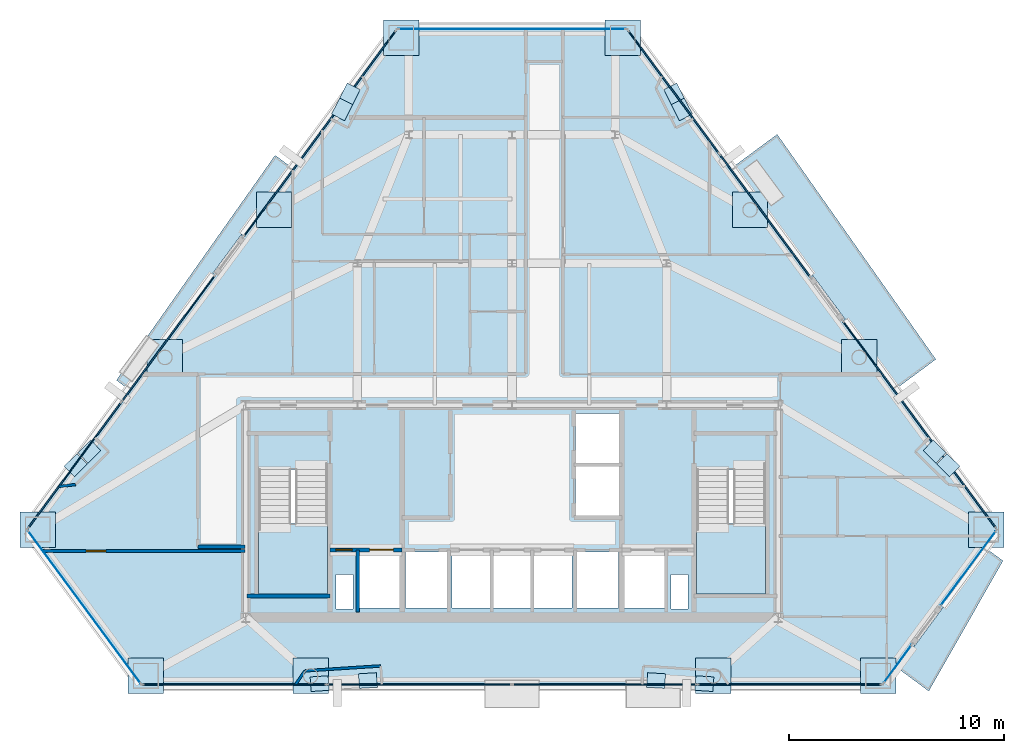
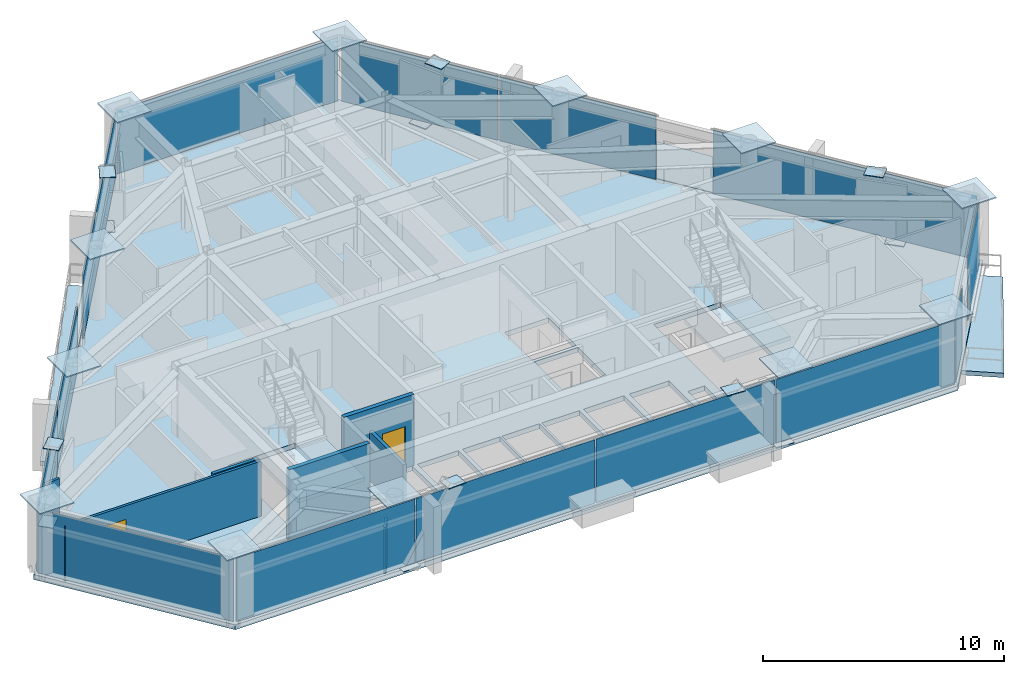
# One storey, part 6 of 11: 38 plates, 8 walls, 6 slabs, 3 doors, 3 openings, 11 elements without a shape of their own.
"""IFC4 building model written with IfcOpenShell, lengths in metres."""

from ifc_helpers import new_model, si_unit, direction, frame, frame_2d, origin, origin_2d, place, context, subcontext, project, spatial, polyline, rectangle, outline, extrude, source, transform, mapped, material, layer, layer_set, type_object, type_shapes, element, fill, aggregate, save


model = new_model("IFC4")

# Units and contexts
model_context = context("Model", 3, precision=1e-05, world=origin(), true_north=direction((0.0, 1.0)))
body_context = subcontext(model_context, "Body", "Model", "MODEL_VIEW")
ifc_project = project(units=[si_unit("LENGTHUNIT", "METRE"), si_unit("AREAUNIT", "SQUARE_METRE"), si_unit("VOLUMEUNIT", "CUBIC_METRE"), si_unit("PLANEANGLEUNIT", "RADIAN"), si_unit("MASSUNIT", "GRAM", prefix="KILO")], contexts=[model_context])

# Site, building, storey
site_placement = place(None, origin())
site = spatial("IfcSite", under=ifc_project, at=site_placement, CompositionType="ELEMENT")
building_placement = place(site_placement, origin())
building = spatial("IfcBuilding", under=site, at=building_placement, Name="Talgorran Terracotta Tower", CompositionType="ELEMENT")
storey_placement = place(building_placement, frame((0.0, 0.0, 140.10009765625)))
storey = spatial("IfcBuildingStorey", under=building, at=storey_placement, Name="L36", CompositionType="ELEMENT", Elevation=140.10009765625)

# Plates
ifc_material_1 = material(Name="Steel Grade 350 (350L0)", Category="steel")
ifc_layer_1 = layer(ifc_material_1, 0.035888671875, Name="PL_CAP_MN06")
ifc_layer_set_1 = layer_set([ifc_layer_1], Name="Steel Grade 350 (350L0)")
plate_type_1 = type_object("IfcPlateType", Name="PL_CAP_MN06", PredefinedType="USERDEFINED", material=ifc_layer_set_1)
for number, where, z_axis, x_axis, name in (
    (1, (-8.964111328125, -17.178955078125, -0.0078125), (0.0, 0.0, 1.0), (0.997949270516, 0.064009792035, 0.0), "L36 Diagonal Frame End Cap SWF Bot"),
    (2, (-6.712890625, -17.034423828125, 3.32177734375), (0.0, 0.0, 1.0), (0.997949270516, 0.064009792035, 0.0), "L36 Diagonal Frame End Cap SWF Top"),
    (3, (8.964111328125, -17.178955078125, -0.0078125), (0.0, 0.0, 1.0), (-0.997949270516, 0.064009792035, 0.0), "L36 Diagonal Frame End Cap SEF Bot"),
    (4, (6.712890625, -17.034423828125, 3.32177734375), (0.0, 0.0, 1.0), (-0.997949270516, 0.064009792035, 0.0), "L36 Diagonal Frame End Cap SEF Top"),
    (5, (20.324951171875, -6.997802734375, -0.0078125), (0.0, 0.0, 1.0), (-0.710676697512, 0.703518750008, 0.0), "L36 Diagonal Frame End Cap NEL Bot"),
    (6, (19.689697265625, -6.368896484375, 3.32177734375), (0.0, 0.0, 1.0), (-0.710676697512, 0.703518750008, 0.0), "L36 Diagonal Frame End Cap NEL Top"),
    (7, (7.56201171875, 10.271240234375, -0.0078125), (0.0, 0.0, 1.0), (0.451656296979, -0.89219201375, 0.0), "L36 Diagonal Frame End Cap NEU Bot"),
    (8, (7.9140625, 9.57568359375, 3.32177734375), (0.0, 0.0, 1.0), (0.451656296979, -0.89219201375, 0.0), "L36 Diagonal Frame End Cap NEU Top"),
    (9, (-7.56201171875, 10.271240234375, -0.0078125), (0.0, 0.0, 1.0), (-0.451656296979, -0.89219201375, 0.0), "L36 Diagonal Frame End Cap NWU Bot"),
    (10, (-7.9140625, 9.57568359375, 3.32177734375), (0.0, 0.0, 1.0), (-0.451656296979, -0.89219201375, 0.0), "L36 Diagonal Frame End Cap NWU Top"),
    (11, (-20.324951171875, -6.997802734375, -0.0078125), (0.0, 0.0, 1.0), (0.710676697512, 0.703518750008, 0.0), "L36 Diagonal Frame End Cap NWL Bot"),
    (12, (-19.689697265625, -6.368896484375, 3.32177734375), (0.0, 0.0, 1.0), (0.710676697512, 0.703518750008, 0.0), "L36 Diagonal Frame End Cap NWL Top"),
):
    element("IfcPlate", number, at=place(storey_placement, frame(where, z_axis=z_axis, x_axis=x_axis)), inside=storey, type_object=plate_type_1, Name=name, ObjectType="CAP PLATE", PredefinedType="USERDEFINED", context=body_context, shape_type="SweptSolid", body=[
        extrude(rectangle(XDim=0.840087890625, YDim=0.679931640625, at=origin_2d()), origin(), (0.0, 0.0, 1.0), 0.035888671875),
    ])
ifc_layer_2 = layer(ifc_material_1, 0.06005859375, Name="PL_NODE_MN01")
ifc_layer_set_2 = layer_set([ifc_layer_2], Name="Steel Grade 350 (350L0)")
plate_type_2 = type_object("IfcPlateType", Name="PL_NODE_MN01", PredefinedType="USERDEFINED", material=ifc_layer_set_2)
for number, where, z_axis, x_axis, name in (
    (13, (-22.09619140625, -10.000244140625, 3.5849609375), (0.0, 0.0, 1.0), (1.0, 0.0, 0.0), "L36 Mega-Column Cap Plate MC1"),
    (14, (-17.056884765625, -16.81884765625, 3.5849609375), (0.0, 0.0, 1.0), (1.0, 0.0, 0.0), "L36 Mega-Column Cap Plate MC2"),
    (15, (17.056884765625, -16.81884765625, 3.5849609375), (0.0, 0.0, 1.0), (1.0, 0.0, 0.0), "L36 Mega-Column Cap Plate MC3"),
    (16, (22.09619140625, -10.000244140625, 3.5849609375), (0.0, 0.0, 1.0), (1.0, 0.0, 0.0), "L36 Mega-Column Cap Plate MC4"),
    (17, (5.16162109375, 12.91357421875, 3.5849609375), (0.0, 0.0, 1.0), (1.0, 0.0, 0.0), "L36 Mega-Column Cap Plate MC5"),
    (18, (-5.16162109375, 12.91357421875, 3.5849609375), (0.0, 0.0, 1.0), (1.0, 0.0, 0.0), "L36 Mega-Column Cap Plate MC6"),
    (19, (-9.381103515625, -16.81884765625, 3.5849609375), (0.0, 0.0, 1.0), (1.0, 0.0, 0.0), "L36 Facet Column Cap Plate FC1"),
    (20, (9.381103515625, -16.81884765625, 3.5849609375), (0.0, 0.0, 1.0), (1.0, 0.0, 0.0), "L36 Facet Column Cap Plate FC2"),
    (21, (16.169189453125, -1.98046875, 3.5849609375), (0.0, 0.0, 1.0), (1.0, 0.0, 0.0), "L36 Facet Column Cap Plate FC3"),
    (22, (11.088623046875, 4.893798828125, 3.5849609375), (0.0, 0.0, 1.0), (1.0, 0.0, 0.0), "L36 Facet Column Cap Plate FC4"),
    (23, (-11.088623046875, 4.893798828125, 3.5849609375), (0.0, 0.0, 1.0), (1.0, 0.0, 0.0), "L36 Facet Column Cap Plate FC5"),
    (24, (-16.169189453125, -1.98046875, 3.5849609375), (0.0, 0.0, 1.0), (1.0, 0.0, 0.0), "L36 Facet Column Cap Plate FC6"),
):
    element("IfcPlate", number, at=place(storey_placement, frame(where, z_axis=z_axis, x_axis=x_axis)), inside=storey, type_object=plate_type_2, Name=name, ObjectType="NODE PLATE", PredefinedType="USERDEFINED", context=body_context, shape_type="SweptSolid", body=[
        extrude(rectangle(XDim=1.64990234375, YDim=1.64990234375, at=origin_2d()), origin(), (0.0, 0.0, 1.0), 0.06005859375),
    ])

# Slabs
ifc_material_2 = material(Name="Concrete C40/50", Category="concrete")
ifc_layer_3 = layer(ifc_material_2, 0.219970703125, Name="SL_BALCONY_220")
ifc_layer_set_3 = layer_set([ifc_layer_3], Name="Concrete C40/50")
slab_type_1 = type_object("IfcSlabType", Name="SL_BALCONY_220", PredefinedType="FLOOR", material=ifc_layer_set_3)
slab_1_placement = place(storey_placement, frame((0.0, 0.0, -0.22021484375)))
element("IfcSlab", 25, at=slab_1_placement, inside=storey, type_object=slab_type_1, Name="L36 Outdoor Wave Balcony BAL-NE", PredefinedType="FLOOR", context=body_context, shape_type="SweptSolid", body=[
    extrude(outline(polyline([(10.28515625, 6.881103515625), (17.905517578125, -3.4296875), (19.7451171875, -2.0703125), (12.352294921875, 8.40869140625), (10.28515625, 6.881103515625)])), origin(), (0.0, 0.0, 1.0), 0.22021484375),
])
slab_2_placement = place(storey_placement, frame((0.0, 0.0, -0.22021484375)))
element("IfcSlab", 26, at=slab_2_placement, inside=storey, type_object=slab_type_1, Name="L36 Outdoor Wave Balcony BAL-NW", PredefinedType="FLOOR", context=body_context, shape_type="SweptSolid", body=[
    extrude(outline(polyline([(-17.905517578125, -3.4296875), (-10.28515625, 6.881103515625), (-11.035400390625, 7.435302734375), (-18.42822265625, -3.043701171875), (-17.905517578125, -3.4296875)])), origin(), (0.0, 0.0, 1.0), 0.22021484375),
])
slab_3_placement = place(storey_placement, frame((0.0, 0.0, -0.22021484375)))
element("IfcSlab", 27, at=slab_3_placement, inside=storey, type_object=slab_type_1, Name="L36 Outdoor Wave Balcony BAL-SE", PredefinedType="FLOOR", context=body_context, shape_type="SweptSolid", body=[
    extrude(outline(polyline([(22.10400390625, -10.889892578125), (17.98193359375, -16.46728515625), (19.416015625, -17.527099609375), (22.873291015625, -11.458251953125), (22.10400390625, -10.889892578125)])), origin(), (0.0, 0.0, 1.0), 0.22021484375),
])

# Stair, slab
stair_type = type_object("IfcStairType", Name="ST_FIRE_SCISSOR", PredefinedType="HALF_TURN_STAIR", material=ifc_material_2)
stair_1_placement = place(storey_placement, origin())
stair_1 = element("IfcStair", 28, at=stair_1_placement, inside=storey, type_object=stair_type, Name="L36 West Protected Fire Stair ST-01", PredefinedType="HALF_TURN_STAIR")
ifc_layer_4 = layer(ifc_material_2, 0.199951171875, Name="SL_LANDING_200")
ifc_layer_set_4 = layer_set([ifc_layer_4], Name="Concrete C40/50")
slab_type_2 = type_object("IfcSlabType", Name="SL_LANDING_200", PredefinedType="LANDING", material=ifc_layer_set_4)
slab_4_placement = place(storey_placement, frame((0.0, 0.0, 1.599853515625)))
slab_4 = element("IfcSlab", 29, at=slab_4_placement, type_object=slab_type_2, Name="ST-01 landing 1", PredefinedType="LANDING", context=body_context, shape_type="SweptSolid", body=[
    extrude(outline(polyline([(-11.800048828125, -9.719970703125), (-11.800048828125, -13.0), (-8.60009765625, -13.0), (-8.60009765625, -9.719970703125), (-11.800048828125, -9.719970703125)])), origin(), (0.0, 0.0, 1.0), 0.199951171875),
])
aggregate(stair_1, [slab_4])

stair_2_placement = place(storey_placement, origin())
stair_2 = element("IfcStair", 30, at=stair_2_placement, inside=storey, type_object=stair_type, Name="L36 East Protected Fire Stair ST-02", PredefinedType="HALF_TURN_STAIR")
slab_5_placement = place(storey_placement, frame((0.0, 0.0, 1.599853515625)))
slab_5 = element("IfcSlab", 31, at=slab_5_placement, type_object=slab_type_2, Name="ST-02 landing 1", PredefinedType="LANDING", context=body_context, shape_type="SweptSolid", body=[
    extrude(outline(polyline([(8.60009765625, -9.719970703125), (8.60009765625, -13.0), (11.800048828125, -13.0), (11.800048828125, -9.719970703125), (8.60009765625, -9.719970703125)])), origin(), (0.0, 0.0, 1.0), 0.199951171875),
])
aggregate(stair_2, [slab_5])

# Slab
ifc_layer_5 = layer(ifc_material_2, 0.25, Name="SL_TOWER_250")
ifc_layer_set_5 = layer_set([ifc_layer_5], Name="Concrete C40/50")
slab_type_3 = type_object("IfcSlabType", Name="SL_TOWER_250", PredefinedType="FLOOR", material=ifc_layer_set_5)
slab_6_placement = place(storey_placement, frame((0.0, 0.0, -0.25)))
element("IfcSlab", 32, at=slab_6_placement, inside=storey, type_object=slab_type_3, Name="Storey L36 Structural Floor Slab", PredefinedType="FLOOR", context=body_context, shape_type="SweptSolid", body=[
    extrude(outline(polyline([(-22.742919921875, -10.000244140625), (-17.319091796875, -17.3388671875), (17.319091796875, -17.3388671875), (22.742919921875, -10.000244140625), (5.423828125, 13.43359375), (-5.423828125, 13.43359375), (-22.742919921875, -10.000244140625)]), holes=[polyline([(-11.800048828125, -7.199951171875), (-11.800048828125, -13.0), (-8.60009765625, -13.0), (-8.60009765625, -7.199951171875), (-11.800048828125, -7.199951171875)]), polyline([(8.60009765625, -7.199951171875), (8.60009765625, -13.0), (11.800048828125, -13.0), (11.800048828125, -7.199951171875), (8.60009765625, -7.199951171875)]), polyline([(-7.10009765625, -13.64990234375), (-5.199951171875, -13.64990234375), (-5.199951171875, -11.050048828125), (-7.10009765625, -11.050048828125), (-7.10009765625, -13.64990234375)]), polyline([(5.199951171875, -13.64990234375), (7.10009765625, -13.64990234375), (7.10009765625, -11.050048828125), (5.199951171875, -11.050048828125), (5.199951171875, -13.64990234375)]), polyline([(3.0, -13.64990234375), (4.949951171875, -13.64990234375), (4.949951171875, -11.050048828125), (3.0, -11.050048828125), (3.0, -13.64990234375)]), polyline([(-4.949951171875, -13.64990234375), (-3.0, -13.64990234375), (-3.0, -11.050048828125), (-4.949951171875, -11.050048828125), (-4.949951171875, -13.64990234375)]), polyline([(2.949951171875, -9.35009765625), (5.050048828125, -9.35009765625), (5.050048828125, -7.050048828125), (2.949951171875, -7.050048828125), (2.949951171875, -9.35009765625)]), polyline([(2.949951171875, -6.89990234375), (5.050048828125, -6.89990234375), (5.050048828125, -4.60009765625), (2.949951171875, -4.60009765625), (2.949951171875, -6.89990234375)]), polyline([(-2.800048828125, -13.64990234375), (-1.0, -13.64990234375), (-1.0, -11.050048828125), (-2.800048828125, -11.050048828125), (-2.800048828125, -13.64990234375)]), polyline([(-0.89990234375, -13.64990234375), (0.89990234375, -13.64990234375), (0.89990234375, -11.050048828125), (-0.89990234375, -11.050048828125), (-0.89990234375, -13.64990234375)]), polyline([(1.0, -13.64990234375), (2.800048828125, -13.64990234375), (2.800048828125, -11.050048828125), (1.0, -11.050048828125), (1.0, -13.64990234375)]), polyline([(-8.199951171875, -13.699951171875), (-7.39990234375, -13.699951171875), (-7.39990234375, -12.10009765625), (-8.199951171875, -12.10009765625), (-8.199951171875, -13.699951171875)]), polyline([(7.39990234375, -13.699951171875), (8.199951171875, -13.699951171875), (8.199951171875, -12.10009765625), (7.39990234375, -12.10009765625), (7.39990234375, -13.699951171875)])]), origin(), (0.0, 0.0, 1.0), 0.25),
])

# Curtain wall, plate
ifc_material_3 = material(Name="Unitised Low-E Double Glazing", Category="glass")
ifc_layer_6 = layer(ifc_material_3, 0.199951171875, Name="CW_SYS2_RES_LOW")
ifc_layer_set_6 = layer_set([ifc_layer_6], Name="Unitised Low-E Double Glazing")
curtain_wall_type = type_object("IfcCurtainWallType", Name="CW_SYS2_RES_LOW", PredefinedType="NOTDEFINED", material=ifc_layer_set_6)
curtain_wall_1_placement = place(storey_placement, origin())
curtain_wall_1 = element("IfcCurtainWall", 33, at=curtain_wall_1_placement, inside=storey, type_object=curtain_wall_type, Name="CW-L36-F0", PredefinedType="NOTDEFINED")
ifc_material_4 = material(Name="Low-E Laminated Vision Glass", Category="glass")
ifc_layer_7 = layer(ifc_material_4, 0.028076171875, Name="PLT_VISION_28")
ifc_layer_set_7 = layer_set([ifc_layer_7], Name="Low-E Laminated Vision Glass")
plate_type_3 = type_object("IfcPlateType", Name="PLT_VISION_28", PredefinedType="CURTAIN_PANEL", material=ifc_layer_set_7)
shared_shape_1 = source(origin(), body_context, "Body", "SweptSolid", [
    extrude(rectangle(XDim=8.84619140625, YDim=0.028076171875, at=origin_2d()), origin(), (0.0, 0.0, 1.0), 3.219970703125),
])
plate_1_placement = place(storey_placement, frame((-19.92626953125, -13.609619140625, 0.06494140625), z_axis=(0.0, 0.0, 1.0), x_axis=(0.594357856926, -0.80420068261, 0.0)))
plate_1 = element("IfcPlate", 34, at=plate_1_placement, type_object=plate_type_3, Name="CW-L36-0 panel 1.1", PredefinedType="CURTAIN_PANEL", context=body_context, shape_type="MappedRepresentation", body=[
    mapped(shared_shape_1, transform((0.0, 0.0, 0.0), scale=1.0)),
])
aggregate(curtain_wall_1, [plate_1])

curtain_wall_2_placement = place(storey_placement, origin())
curtain_wall_2 = element("IfcCurtainWall", 35, at=curtain_wall_2_placement, inside=storey, type_object=curtain_wall_type, Name="CW-L36-F4", PredefinedType="NOTDEFINED")
shared_shape_2 = source(origin(), body_context, "Body", "SweptSolid", [
    extrude(rectangle(XDim=10.5966796875, YDim=0.028076171875, at=origin_2d()), origin(), (0.0, 0.0, 1.0), 3.219970703125),
])
plate_2_placement = place(storey_placement, frame((0.0, 13.3134765625, 0.06494140625), z_axis=(0.0, 0.0, 1.0), x_axis=(-1.0, 0.0, 0.0)))
plate_2 = element("IfcPlate", 36, at=plate_2_placement, type_object=plate_type_3, Name="CW-L36-4 panel 1.1", PredefinedType="CURTAIN_PANEL", context=body_context, shape_type="MappedRepresentation", body=[
    mapped(shared_shape_2, transform((0.0, 0.0, 0.0), scale=1.0)),
])
aggregate(curtain_wall_2, [plate_2])

# Curtain wall, plates
curtain_wall_3_placement = place(storey_placement, origin())
curtain_wall_3 = element("IfcCurtainWall", 37, at=curtain_wall_3_placement, inside=storey, type_object=curtain_wall_type, Name="CW-L36-F1", PredefinedType="NOTDEFINED")
ifc_material_5 = material(Name="Terracotta Insulated Spandrel", Category="masonry")
ifc_layer_8 = layer(ifc_material_5, 0.06494140625, Name="PLT_SPANDREL_TERRA")
ifc_layer_set_8 = layer_set([ifc_layer_8], Name="Terracotta Insulated Spandrel")
plate_type_4 = type_object("IfcPlateType", Name="PLT_SPANDREL_TERRA", PredefinedType="SHEET", material=ifc_layer_set_8)
shared_shape_3 = source(origin(), body_context, "Body", "SweptSolid", [
    extrude(rectangle(XDim=8.53173828125, YDim=0.06494140625, at=origin_2d()), origin(), (0.0, 0.0, 1.0), 3.219970703125),
])
plate_3_placement = place(storey_placement, frame((-12.927734375, -17.218994140625, 0.06494140625), z_axis=(0.0, 0.0, 1.0), x_axis=(1.0, 0.0, 0.0)))
plate_3 = element("IfcPlate", 38, at=plate_3_placement, type_object=plate_type_4, Name="CW-L36-1 panel 1.1", PredefinedType="CURTAIN_PANEL", context=body_context, shape_type="MappedRepresentation", body=[
    mapped(shared_shape_3, transform((0.0, 0.0, 0.0), scale=1.0)),
])
plate_4_placement = place(storey_placement, frame((12.927734375, -17.218994140625, 0.06494140625), z_axis=(0.0, 0.0, 1.0), x_axis=(1.0, 0.0, 0.0)))
plate_4 = element("IfcPlate", 39, at=plate_4_placement, type_object=plate_type_4, Name="CW-L36-1 panel 4.1", PredefinedType="CURTAIN_PANEL", context=body_context, shape_type="MappedRepresentation", body=[
    mapped(shared_shape_3, transform((0.0, 0.0, 0.0), scale=1.0)),
])
shared_shape_4 = source(origin(), body_context, "Body", "SweptSolid", [
    extrude(rectangle(XDim=8.564208984375, YDim=0.06494140625, at=origin_2d()), origin(), (0.0, 0.0, 1.0), 3.219970703125),
])
plate_5_placement = place(storey_placement, frame((-4.314697265625, -17.218994140625, 0.06494140625), z_axis=(0.0, 0.0, 1.0), x_axis=(1.0, 0.0, 0.0)))
plate_5 = element("IfcPlate", 40, at=plate_5_placement, type_object=plate_type_4, Name="CW-L36-1 panel 2.1", PredefinedType="CURTAIN_PANEL", context=body_context, shape_type="MappedRepresentation", body=[
    mapped(shared_shape_4, transform((0.0, 0.0, 0.0), scale=1.0)),
])
plate_6_placement = place(storey_placement, frame((4.314697265625, -17.218994140625, 0.06494140625), z_axis=(0.0, 0.0, 1.0), x_axis=(1.0, 0.0, 0.0)))
plate_6 = element("IfcPlate", 41, at=plate_6_placement, type_object=plate_type_4, Name="CW-L36-1 panel 3.1", PredefinedType="CURTAIN_PANEL", context=body_context, shape_type="MappedRepresentation", body=[
    mapped(shared_shape_4, transform((0.0, 0.0, 0.0), scale=1.0)),
])
aggregate(curtain_wall_3, [plate_3, plate_5, plate_6, plate_4])

# Curtain wall, plate
curtain_wall_4_placement = place(storey_placement, origin())
curtain_wall_4 = element("IfcCurtainWall", 42, at=curtain_wall_4_placement, inside=storey, type_object=curtain_wall_type, Name="CW-L36-F30", PredefinedType="NOTDEFINED")
shared_shape_5 = source(origin(), body_context, "Body", "SweptSolid", [
    extrude(rectangle(XDim=2.177978515625, YDim=0.028076171875, at=origin_2d()), origin(), (0.0, 0.0, 1.0), 3.219970703125),
])
plate_7_placement = place(storey_placement, frame((17.96826171875, -16.258544921875, 0.06494140625), z_axis=(0.0, 0.0, 1.0), x_axis=(0.594363041035, 0.804196851182, 0.0)))
plate_7 = element("IfcPlate", 43, at=plate_7_placement, type_object=plate_type_3, Name="CW-L36-30 panel 1.1", PredefinedType="CURTAIN_PANEL", context=body_context, shape_type="MappedRepresentation", body=[
    mapped(shared_shape_5, transform((0.0, 0.0, 0.0), scale=1.0)),
])
aggregate(curtain_wall_4, [plate_7])

curtain_wall_5_placement = place(storey_placement, origin())
curtain_wall_5 = element("IfcCurtainWall", 44, at=curtain_wall_5_placement, inside=storey, type_object=curtain_wall_type, Name="CW-L36-F31", PredefinedType="NOTDEFINED")
shared_shape_6 = source(origin(), body_context, "Body", "SweptSolid", [
    extrude(rectangle(XDim=4.298095703125, YDim=0.028076171875, at=origin_2d()), origin(), (0.0, 0.0, 1.0), 3.219970703125),
])
type_shapes(plate_type_3, [shared_shape_1, shared_shape_2, shared_shape_5, shared_shape_6])
plate_8_placement = place(storey_placement, frame((21.25390625, -11.81298828125, 0.06494140625), z_axis=(0.0, 0.0, 1.0), x_axis=(0.594359312046, 0.804199607177, 0.0)))
plate_8 = element("IfcPlate", 45, at=plate_8_placement, type_object=plate_type_3, Name="CW-L36-31 panel 1.1", PredefinedType="CURTAIN_PANEL", context=body_context, shape_type="MappedRepresentation", body=[
    mapped(shared_shape_6, transform((0.0, 0.0, 0.0), scale=1.0)),
])
aggregate(curtain_wall_5, [plate_8])

curtain_wall_6_placement = place(storey_placement, origin())
curtain_wall_6 = element("IfcCurtainWall", 46, at=curtain_wall_6_placement, inside=storey, type_object=curtain_wall_type, Name="CW-L36-F40", PredefinedType="NOTDEFINED")
shared_shape_7 = source(origin(), body_context, "Body", "SweptSolid", [
    extrude(rectangle(XDim=11.94970703125, YDim=0.06494140625, at=origin_2d()), origin(), (0.0, 0.0, 1.0), 3.219970703125),
])
plate_9_placement = place(storey_placement, frame((18.97998046875, -5.11083984375, 0.06494140625), z_axis=(0.0, 0.0, 1.0), x_axis=(-0.594354516182, 0.804203151631, 0.0)))
plate_9 = element("IfcPlate", 47, at=plate_9_placement, type_object=plate_type_4, Name="CW-L36-40 panel 1.1", PredefinedType="CURTAIN_PANEL", context=body_context, shape_type="MappedRepresentation", body=[
    mapped(shared_shape_7, transform((0.0, 0.0, 0.0), scale=1.0)),
])
aggregate(curtain_wall_6, [plate_9])

# Curtain wall, plates
curtain_wall_7_placement = place(storey_placement, origin())
curtain_wall_7 = element("IfcCurtainWall", 48, at=curtain_wall_7_placement, inside=storey, type_object=curtain_wall_type, Name="CW-L36-F41", PredefinedType="NOTDEFINED")
shared_shape_8 = source(origin(), body_context, "Body", "SweptSolid", [
    extrude(rectangle(XDim=7.087646484375, YDim=0.06494140625, at=origin_2d()), origin(), (0.0, 0.0, 1.0), 3.219970703125),
])
plate_10_placement = place(storey_placement, frame((11.783203125, 4.626953125, 0.06494140625), z_axis=(0.0, 0.0, 1.0), x_axis=(-0.594356819177, 0.804201449574, 0.0)))
plate_10 = element("IfcPlate", 49, at=plate_10_placement, type_object=plate_type_4, Name="CW-L36-41 panel 1.1", PredefinedType="CURTAIN_PANEL", context=body_context, shape_type="MappedRepresentation", body=[
    mapped(shared_shape_8, transform((0.0, 0.0, 0.0), scale=1.0)),
])
plate_11_placement = place(storey_placement, frame((7.531982421875, 10.379150390625, 0.06494140625), z_axis=(0.0, 0.0, 1.0), x_axis=(-0.594356819177, 0.804201449574, 0.0)))
plate_11 = element("IfcPlate", 50, at=plate_11_placement, type_object=plate_type_4, Name="CW-L36-41 panel 2.1", PredefinedType="CURTAIN_PANEL", context=body_context, shape_type="MappedRepresentation", body=[
    mapped(shared_shape_8, transform((0.0, 0.0, 0.0), scale=1.0)),
])
aggregate(curtain_wall_7, [plate_10, plate_11])

# Curtain wall, plate
curtain_wall_8_placement = place(storey_placement, origin())
curtain_wall_8 = element("IfcCurtainWall", 51, at=curtain_wall_8_placement, inside=storey, type_object=curtain_wall_type, Name="CW-L36-F60", PredefinedType="NOTDEFINED")
shared_shape_9 = source(origin(), body_context, "Body", "SweptSolid", [
    extrude(rectangle(XDim=11.88134765625, YDim=0.06494140625, at=origin_2d()), origin(), (0.0, 0.0, 1.0), 3.219970703125),
])
plate_12_placement = place(storey_placement, frame((-8.95654296875, 8.451416015625, 0.06494140625), z_axis=(0.0, 0.0, 1.0), x_axis=(-0.594358522328, -0.804200190833, 0.0)))
plate_12 = element("IfcPlate", 52, at=plate_12_placement, type_object=plate_type_4, Name="CW-L36-60 panel 1.1", PredefinedType="CURTAIN_PANEL", context=body_context, shape_type="MappedRepresentation", body=[
    mapped(shared_shape_9, transform((0.0, 0.0, 0.0), scale=1.0)),
])
aggregate(curtain_wall_8, [plate_12])

# Curtain wall, plates
curtain_wall_9_placement = place(storey_placement, origin())
curtain_wall_9 = element("IfcCurtainWall", 53, at=curtain_wall_9_placement, inside=storey, type_object=curtain_wall_type, Name="CW-L36-F61", PredefinedType="NOTDEFINED")
shared_shape_10 = source(origin(), body_context, "Body", "SweptSolid", [
    extrude(rectangle(XDim=7.271728515625, YDim=0.06494140625, at=origin_2d()), origin(), (0.0, 0.0, 1.0), 3.219970703125),
])
type_shapes(plate_type_4, [shared_shape_3, shared_shape_4, shared_shape_7, shared_shape_8, shared_shape_9, shared_shape_10])
plate_13_placement = place(storey_placement, frame((-16.009521484375, -1.091552734375, 0.06494140625), z_axis=(0.0, 0.0, 1.0), x_axis=(-0.594359582518, -0.80419940728, 0.0)))
plate_13 = element("IfcPlate", 54, at=plate_13_placement, type_object=plate_type_4, Name="CW-L36-61 panel 1.1", PredefinedType="CURTAIN_PANEL", context=body_context, shape_type="MappedRepresentation", body=[
    mapped(shared_shape_10, transform((0.0, 0.0, 0.0), scale=1.0)),
])
plate_14_placement = place(storey_placement, frame((-20.370361328125, -6.99169921875, 0.06494140625), z_axis=(0.0, 0.0, 1.0), x_axis=(-0.594359582518, -0.80419940728, 0.0)))
plate_14 = element("IfcPlate", 55, at=plate_14_placement, type_object=plate_type_4, Name="CW-L36-61 panel 2.1", PredefinedType="CURTAIN_PANEL", context=body_context, shape_type="MappedRepresentation", body=[
    mapped(shared_shape_10, transform((0.0, 0.0, 0.0), scale=1.0)),
])
aggregate(curtain_wall_9, [plate_13, plate_14])

# Wall
ifc_material_6 = material(Name="Concrete C50/60", Category="concrete")
ifc_layer_9 = layer(ifc_material_6, 0.199951171875, Name="WT_CORE_200")
ifc_layer_set_9 = layer_set([ifc_layer_9], Name="Concrete C50/60")
wall_type_1 = type_object("IfcWallType", Name="WT_CORE_200", PredefinedType="SOLIDWALL", material=ifc_layer_set_9)
wall_1_placement = place(storey_placement, frame((-12.35009765625, -13.10009765625, 0.0), z_axis=(0.0, 0.0, 1.0), x_axis=(1.0, 0.0, 0.0)))
element("IfcWall", 56, at=wall_1_placement, inside=storey, type_object=wall_type_1, Name="WL-L36-CW-ST1-S", PredefinedType="SOLIDWALL", context=body_context, shape_type="SweptSolid", body=[
    extrude(rectangle(XDim=3.8701171875, YDim=0.199951171875, at=frame_2d((1.93505859375, 0.0))), origin(), (0.0, 0.0, 1.0), 3.599853515625),
])

# Wall, openings, doors
wall_2_placement = place(storey_placement, frame((-8.47998046875, -10.949951171875, 0.0), z_axis=(0.0, 0.0, 1.0), x_axis=(1.0, 0.0, 0.0)))
wall_2 = element("IfcWall", 57, at=wall_2_placement, inside=storey, type_object=wall_type_1, Name="WL-L36-CW-H-SBW", PredefinedType="SOLIDWALL", context=body_context, shape_type="SweptSolid", body=[
    extrude(rectangle(XDim=3.35986328125, YDim=0.199951171875, at=frame_2d((1.679931640625, 0.0))), origin(), (0.0, 0.0, 1.0), 3.599853515625),
])
opening_1_placement = place(wall_2_placement, frame((0.280029296875, 0.0, 0.0)))
opening_1 = element("IfcOpeningElement", 58, at=opening_1_placement, cuts=wall_2, Name="Opening DR-RSW", PredefinedType="OPENING", context=body_context, shape_type="SweptSolid", body=[
    extrude(rectangle(XDim=0.756, YDim=2.054048828125, at=frame_2d((0.375, 1.027099609375))), frame((0.0, 0.10986328125, 0.0), z_axis=(0.0, -1.0, 0.0), x_axis=(1.0, 0.0, 0.0)), (0.0, 0.0, 1.0), 0.219970703125),
])
opening_2_placement = place(wall_2_placement, frame((1.85009765625, 0.0, 0.0)))
opening_2 = element("IfcOpeningElement", 59, at=opening_2_placement, cuts=wall_2, Name="Opening LD-FFL1", PredefinedType="OPENING", context=body_context, shape_type="SweptSolid", body=[
    extrude(rectangle(XDim=1.10609765625, YDim=2.10409765625, at=frame_2d((0.550048828125, 1.052001953125))), frame((0.0, 0.10986328125, 0.0), z_axis=(0.0, -1.0, 0.0), x_axis=(1.0, 0.0, 0.0)), (0.0, 0.0, 1.0), 0.219970703125),
])
ifc_material_7 = material(Name="Brushed Stainless Steel Grade 304", Category="steel")
door_type_1 = type_object("IfcDoorType", Name="DT_LIFT_LD1100", OperationType="DOUBLE_DOOR_SLIDING", PredefinedType="DOOR", material=ifc_material_7)
door_1_placement = place(opening_2_placement, origin())
door_1 = element("IfcDoor", 60, at=door_1_placement, inside=storey, type_object=door_type_1, Name="L36 Lift Landing Door LD-FFL1", OperationType="DOUBLE_DOOR_SLIDING", OverallHeight=2.10009765625, OverallWidth=1.10009765625, PredefinedType="DOOR", context=body_context, shape_type="SweptSolid", body=[
    extrude(rectangle(XDim=1.10009765625, YDim=2.10009765625, at=frame_2d((0.550048828125, 1.050048828125))), frame((0.0, 0.02490234375, 0.0), z_axis=(0.0, -1.0, 0.0), x_axis=(1.0, 0.0, 0.0)), (0.0, 0.0, 1.0), 0.050048828125),
])
fill(opening_2, door_1)
ifc_material_8 = material(Name="Fire-Rated Pressed Steel", Category="steel")
door_type_2 = type_object("IfcDoorType", Name="DT_RISER_750", OperationType="NOTDEFINED", PredefinedType="DOOR", material=ifc_material_8)
door_2_placement = place(opening_1_placement, origin())
door_2 = element("IfcDoor", 61, at=door_2_placement, inside=storey, type_object=door_type_2, Name="DR-RSW", OperationType="SINGLE_SWING_LEFT", OverallHeight=2.050048828125, OverallWidth=0.75, PredefinedType="DOOR", context=body_context, shape_type="SweptSolid", body=[
    extrude(rectangle(XDim=0.75, YDim=2.050048828125, at=frame_2d((0.375, 1.02490234375))), frame((0.0, 0.02490234375, 0.0), z_axis=(0.0, -1.0, 0.0), x_axis=(1.0, 0.0, 0.0)), (0.0, 0.0, 1.0), 0.050048828125),
])
fill(opening_1, door_2)

# Wall
ifc_material_9 = material(Name="Fire-Rated Steel Stud Plasterboard", Category="steel")
ifc_layer_10 = layer(ifc_material_9, 0.14990234375, Name="WT_FIRE_150")
ifc_layer_set_10 = layer_set([ifc_layer_10], Name="Fire-Rated Steel Stud Plasterboard")
wall_type_2 = type_object("IfcWallType", Name="WT_FIRE_150", PredefinedType="PARTITIONING", material=ifc_layer_set_10)
wall_3_placement = place(storey_placement, frame((-14.639892578125, -10.800048828125, 0.0), z_axis=(0.0, 0.0, 1.0), x_axis=(1.0, 0.0, 0.0)))
element("IfcWall", 62, at=wall_3_placement, inside=storey, type_object=wall_type_2, Name="WL-L36-W-L36-R02", PredefinedType="PARTITIONING", context=body_context, shape_type="SweptSolid", body=[
    extrude(rectangle(XDim=2.199951171875, YDim=0.14990234375, at=frame_2d((1.10009765625, 0.0))), origin(), (0.0, 0.0, 1.0), 2.7919921875),
])

# Wall, opening, door
ifc_material_10 = material(Name="Insulated Steel Stud Plasterboard", Category="steel")
ifc_layer_11 = layer(ifc_material_10, 0.1201171875, Name="WT_PART_120")
ifc_layer_set_11 = layer_set([ifc_layer_11], Name="Insulated Steel Stud Plasterboard")
wall_type_3 = type_object("IfcWallType", Name="WT_PART_120", PredefinedType="PARTITIONING", material=ifc_layer_set_11)
wall_4_placement = place(storey_placement, frame((-21.854736328125, -11.0, 0.0), z_axis=(0.0, 0.0, 1.0), x_axis=(1.0, 0.0, 0.0)))
wall_4 = element("IfcWall", 63, at=wall_4_placement, inside=storey, type_object=wall_type_3, Name="WL-L36-W-L36-R17", PredefinedType="PARTITIONING", context=body_context, shape_type="SweptSolid", body=[
    extrude(rectangle(XDim=9.414794921875, YDim=0.1201171875, at=frame_2d((4.70751953125, 0.0))), origin(), (0.0, 0.0, 1.0), 2.7919921875),
])
opening_3_placement = place(wall_4_placement, frame((2.013916015625, 0.0, 0.0)))
opening_3 = element("IfcOpeningElement", 64, at=opening_3_placement, cuts=wall_4, Name="Opening DR-L36-R02", PredefinedType="OPENING", context=body_context, shape_type="SweptSolid", body=[
    extrude(rectangle(XDim=0.925921875, YDim=2.10409765625, at=frame_2d((0.4599609375, 1.052001953125))), frame((0.0, 0.070068359375, 0.0), z_axis=(0.0, -1.0, 0.0), x_axis=(1.0, 0.0, 0.0)), (0.0, 0.0, 1.0), 0.14013671875),
])
ifc_material_11 = material(Name="Solid-Core Painted Timber", Category="wood")
door_type_3 = type_object("IfcDoorType", Name="DT_INT_920", OperationType="NOTDEFINED", PredefinedType="DOOR", material=ifc_material_11)
door_3_placement = place(opening_3_placement, origin())
door_3 = element("IfcDoor", 65, at=door_3_placement, inside=storey, type_object=door_type_3, Name="DR-L36-R02", OperationType="SINGLE_SWING_RIGHT", OverallHeight=2.10009765625, OverallWidth=0.919921875, PredefinedType="DOOR", context=body_context, shape_type="SweptSolid", body=[
    extrude(rectangle(XDim=0.919921875, YDim=2.10009765625, at=frame_2d((0.4599609375, 1.050048828125))), frame((0.0, 0.02490234375, 0.0), z_axis=(0.0, -1.0, 0.0), x_axis=(1.0, 0.0, 0.0)), (0.0, 0.0, 1.0), 0.050048828125),
])
fill(opening_3, door_3)

# Walls
wall_5_placement = place(storey_placement, frame((-9.643798828125, -16.581298828125, 0.0), z_axis=(0.0, 0.0, 1.0), x_axis=(0.997945293816, 0.064071760942, 0.0)))
element("IfcWall", 66, at=wall_5_placement, inside=storey, type_object=wall_type_3, Name="WL-L36-BW-L36-01", PredefinedType="PARTITIONING", context=body_context, shape_type="SweptSolid", body=[
    extrude(rectangle(XDim=3.5361328125, YDim=0.1201171875, at=frame_2d((1.76806640625, 0.0))), origin(), (0.0, 0.0, 1.0), 2.324951171875),
])
wall_6_placement = place(storey_placement, frame((-20.32958984375, -7.903076171875, 0.0), z_axis=(0.0, 0.0, 1.0), x_axis=(-0.993159218392, -0.116768004705, 0.0)))
element("IfcWall", 67, at=wall_6_placement, inside=storey, type_object=wall_type_3, Name="WL-L36-BW-L36-09", PredefinedType="PARTITIONING", context=body_context, shape_type="SweptSolid", body=[
    extrude(rectangle(XDim=0.773681640625, YDim=0.1201171875, at=frame_2d((0.38671875, 0.0))), origin(), (0.0, 0.0, 1.0), 2.7919921875),
])
wall_7_placement = place(storey_placement, frame((-10.080078125, -17.208984375, 0.0), z_axis=(0.0, 0.0, 1.0), x_axis=(0.570736922887, 0.821132976353, 0.0)))
element("IfcWall", 68, at=wall_7_placement, inside=storey, type_object=wall_type_3, Name="WL-L36-BW-L36-03", PredefinedType="PARTITIONING", context=body_context, shape_type="SweptSolid", body=[
    extrude(rectangle(XDim=0.764404296875, YDim=0.1201171875, at=frame_2d((0.38232421875, 0.0))), origin(), (0.0, 0.0, 1.0), 2.324951171875),
])
ifc_material_12 = material(Name="Fire-Rated Shaftwall")
ifc_layer_12 = layer(ifc_material_12, 0.159912109375, Name="WT_PART_150")
ifc_layer_set_12 = layer_set([ifc_layer_12], Name="Fire-Rated Shaftwall")
wall_type_4 = type_object("IfcWallType", Name="WT_PART_150", PredefinedType="PARTITIONING", material=ifc_layer_set_12)
wall_8_placement = place(storey_placement, frame((-7.179931640625, -13.85009765625, 0.0), z_axis=(0.0, 0.0, 1.0), x_axis=(0.0, 1.0, 0.0)))
element("IfcWall", 69, at=wall_8_placement, inside=storey, type_object=wall_type_4, Name="WL-L36-CW-RSW", PredefinedType="PARTITIONING", context=body_context, shape_type="SweptSolid", body=[
    extrude(rectangle(XDim=2.900146484375, YDim=0.159912109375, at=frame_2d((1.4501953125, 0.0))), origin(), (0.0, 0.0, 1.0), 2.474853515625),
])

save(model, "model.ifc")
